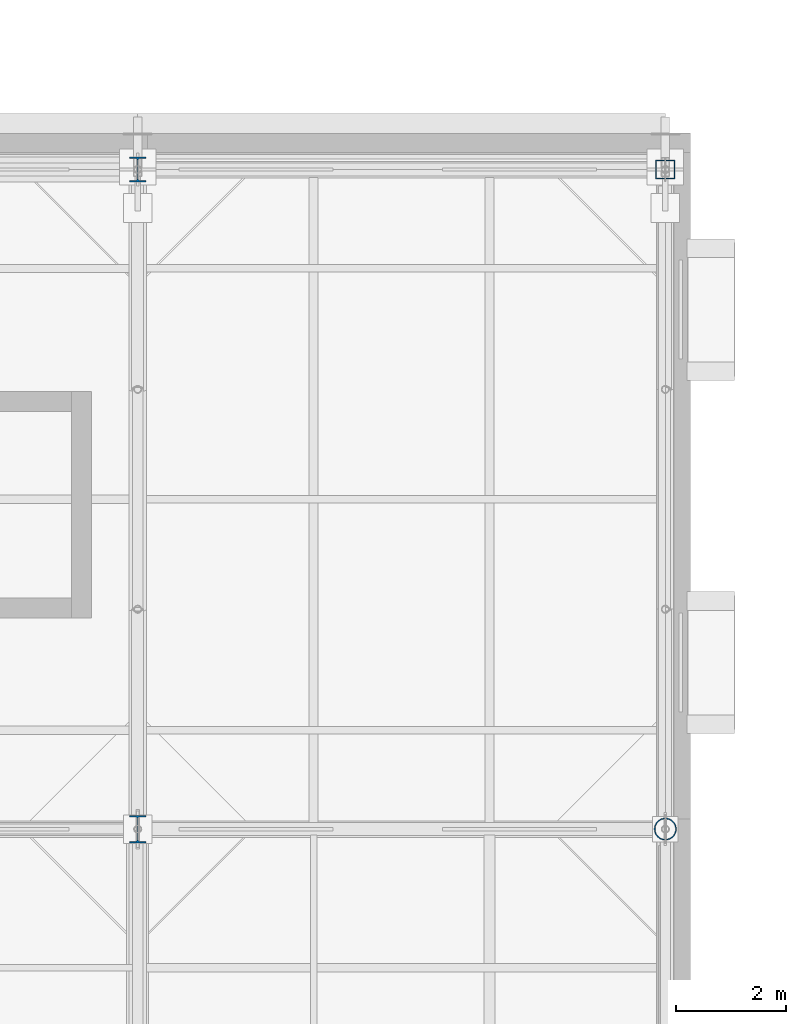
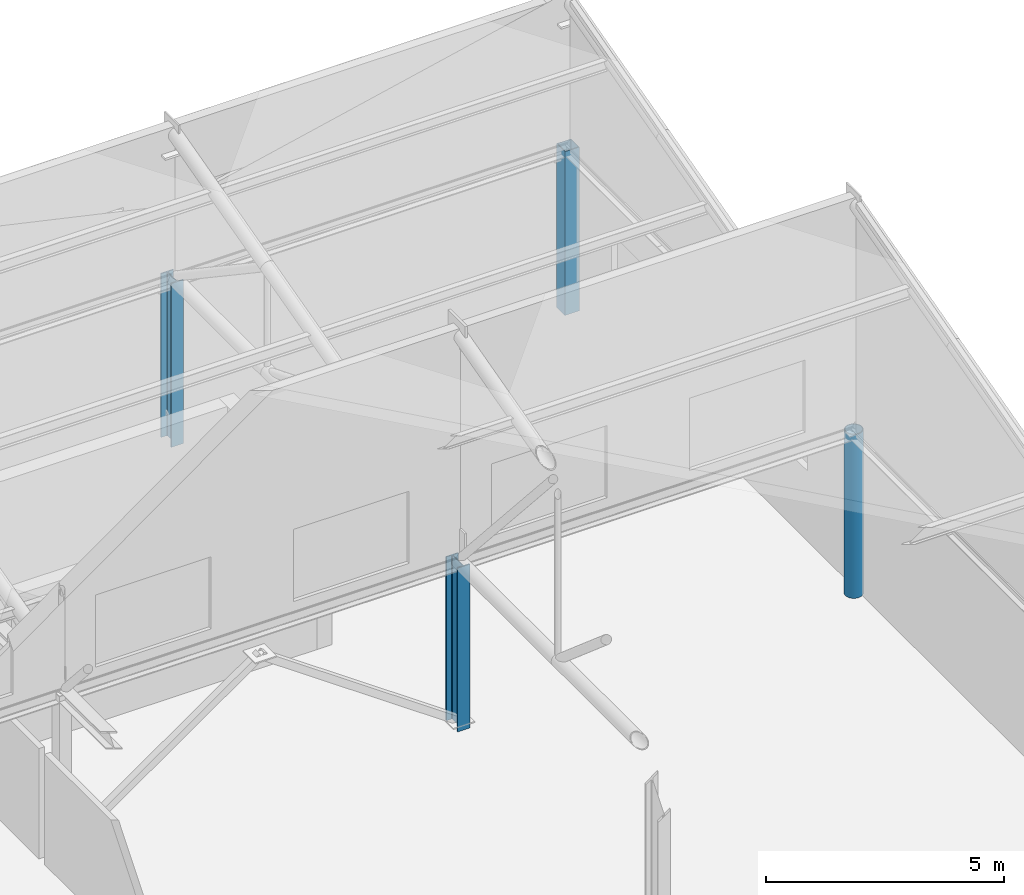
# One storey, part 8 of 89: 4 columns.
"""IFC4 building model written with IfcOpenShell, lengths in metres."""

import ifcopenshell
import ifcopenshell.guid

model = None  # the IFC model being written
_history = None  # IfcOwnerHistory: only IFC2X3 demands one
_inside = {}  # id of a spatial element -> (the spatial element, [elements in it])
_under = {}  # id of a project, library or spatial element -> (it, [spatial elements below it])
_declared = {}  # id of a project -> (the project, [libraries it declares])
_typed = {}  # id of a type object -> (the type object, [elements of that type])
_made_of = {}  # id of a material, layer set ... -> (it, [elements and type objects made of it])


def new_model(schema):
    """Start an empty IFC model of exactly this schema.

    Asked for "IFC4X3", IfcOpenShell would pick the latest addendum, in which some entities
    have other attributes; the version numbers below select the first issue.
    IFC2X3 requires an IfcOwnerHistory on every rooted entity: one is made here for all.
    """
    global model, _history
    if schema == "IFC4X3":
        model = ifcopenshell.file(schema_version=(4, 3, 0, 0))
    else:
        model = ifcopenshell.file(schema=schema)
    _inside.clear()
    _under.clear()
    _declared.clear()
    _typed.clear()
    _made_of.clear()
    _history = None
    if model.schema == "IFC2X3":
        org = make("IfcOrganization", Name="unknown")
        user = make(
            "IfcPersonAndOrganization",
            ThePerson=make("IfcPerson", FamilyName="unknown"),
            TheOrganization=org,
        )
        app = make(
            "IfcApplication",
            ApplicationDeveloper=org,
            Version="unknown",
            ApplicationFullName="unknown",
            ApplicationIdentifier="unknown",
        )
        _history = make(
            "IfcOwnerHistory",
            OwningUser=user,
            OwningApplication=app,
            ChangeAction="ADDED",
            CreationDate=0,
        )
    return model


def make(cls, **values):
    """One entity of the class cls with the attributes given. An attribute that is None is left unset."""
    return model.create_entity(
        cls, **{name: value for name, value in values.items() if value is not None}
    )


def rooted(cls, **values):
    """An entity with a GlobalId (a new one), such as an element, a storey or a relation."""
    return make(cls, GlobalId=ifcopenshell.guid.new(), OwnerHistory=_history, **values)


def si_unit(unit_type, name, prefix=None):
    """IfcSIUnit, for example si_unit("LENGTHUNIT", "METRE", prefix="MILLI")."""
    return make("IfcSIUnit", UnitType=unit_type, Prefix=prefix, Name=name)


def assignment(units):
    """IfcUnitAssignment: the units of a project."""
    return None if units is None else make("IfcUnitAssignment", Units=units)


def point(xyz):
    """IfcCartesianPoint."""
    return None if xyz is None else make("IfcCartesianPoint", Coordinates=xyz)


def direction(xyz):
    """IfcDirection."""
    return None if xyz is None else make("IfcDirection", DirectionRatios=xyz)


def frame(location, z_axis=None, x_axis=None):
    """IfcAxis2Placement3D, a coordinate frame: its origin and axes. An axis left out is left unset."""
    return make(
        "IfcAxis2Placement3D",
        Location=point(location),
        Axis=direction(z_axis),
        RefDirection=direction(x_axis),
    )


def frame_2d(location, x_axis=None):
    """IfcAxis2Placement2D, a coordinate frame in the plane: its origin and x axis."""
    return make(
        "IfcAxis2Placement2D", Location=point(location), RefDirection=direction(x_axis)
    )


def origin():
    """The frame at (0, 0, 0) with its axes left unset."""
    return frame((0.0, 0.0, 0.0))


def origin_2d():
    """The frame at (0, 0) in the plane with its x axis left unset."""
    return frame_2d((0.0, 0.0))


def place(relative_to, where):
    """IfcLocalPlacement: puts the frame where relative to a parent placement (None: the world)."""
    return make(
        "IfcLocalPlacement", PlacementRelTo=relative_to, RelativePlacement=where
    )


def context(
    kind, dimensions, precision=None, world=None, true_north=None, identifier=None
):
    """IfcGeometricRepresentationContext, for example the 3D "Model" context."""
    return make(
        "IfcGeometricRepresentationContext",
        ContextIdentifier=identifier,
        ContextType=kind,
        CoordinateSpaceDimension=dimensions,
        Precision=precision,
        WorldCoordinateSystem=world,
        TrueNorth=true_north,
    )


def subcontext(parent, identifier, kind, view, scale=None):
    """IfcGeometricRepresentationSubContext, for example "Body" below "Model"."""
    return make(
        "IfcGeometricRepresentationSubContext",
        ContextIdentifier=identifier,
        ContextType=kind,
        ParentContext=parent,
        TargetScale=scale,
        TargetView=view,
    )


def project(units=None, contexts=None):
    """IfcProject with its units and contexts."""
    return rooted(
        "IfcProject",
        Name="project",
        RepresentationContexts=contexts,
        UnitsInContext=assignment(units),
    )


def spatial(cls, under=None, at=None, **own):
    """A site, building, storey or space (cls), placed at a placement, below another one or the project."""
    s = rooted(cls, ObjectPlacement=at, **own)
    if under is not None:
        _under.setdefault(under.id(), (under, []))[1].append(s)
    return s


def profile(cls, at=None, kind="AREA", **sizes):
    """A parametric profile (cls). Its sizes go by their IFC names, for example OverallWidth=200.0."""
    return make(cls, ProfileType=kind, Position=at, **sizes)


def hollow_rectangle(**sizes):
    """IfcRectangleHollowProfileDef."""
    return profile("IfcRectangleHollowProfileDef", **sizes)


def hollow_circle(**sizes):
    """IfcCircleHollowProfileDef."""
    return profile("IfcCircleHollowProfileDef", **sizes)


def i_section(**sizes):
    """IfcIShapeProfileDef."""
    return profile("IfcIShapeProfileDef", **sizes)


def extrude(swept, where, along, depth):
    """IfcExtrudedAreaSolid: the profile swept, set in the frame where, extruded along a direction by depth."""
    return make(
        "IfcExtrudedAreaSolid",
        SweptArea=swept,
        Position=where,
        ExtrudedDirection=direction(along),
        Depth=depth,
    )


def shape(context_of_items, identifier, shape_type, items):
    """IfcShapeRepresentation: the items that make up one representation, for example the "Body"."""
    return make(
        "IfcShapeRepresentation",
        ContextOfItems=context_of_items,
        RepresentationIdentifier=identifier,
        RepresentationType=shape_type,
        Items=items,
    )


def material(Name=None, Category=None):
    """IfcMaterial."""
    return make("IfcMaterial", Name=Name, Category=Category)


def material_profile(
    of_material, cross_section, Name=None, Category=None, Priority=None
):
    """IfcMaterialProfile: a cross section and its material."""
    return make(
        "IfcMaterialProfile",
        Name=Name,
        Material=of_material,
        Profile=cross_section,
        Priority=Priority,
        Category=Category,
    )


def profile_set(profiles, Name=None, composite=None):
    """IfcMaterialProfileSet."""
    return make(
        "IfcMaterialProfileSet",
        Name=Name,
        MaterialProfiles=profiles,
        CompositeProfile=composite,
    )


def made_of(thing, what):
    """Note that an element or type object is made of a material, layer set ...; save() writes the relation."""
    if what is not None:
        _made_of.setdefault(what.id(), (what, []))[1].append(thing)
    return thing


def type_object(cls, material=None, **own):
    """A type object (cls), such as IfcWallType, which elements share."""
    return made_of(rooted(cls, **own), material)


def element(
    cls,
    number,
    at=None,
    inside=None,
    cuts=None,
    type_object=None,
    material=None,
    context=None,
    identifier="Body",
    shape_type=None,
    held_by="IfcProductDefinitionShape",
    body=None,
    shapes=None,
    **own,
):
    """One element of the class cls, such as IfcWall. Its Tag is "e" and its number.

    at: its placement. inside: the storey or other place that contains it. cuts: it is an
    opening in that element (IfcRelVoidsElement). A single representation is given by context,
    identifier, shape_type and body (its items); several are given by shapes. held_by: the class
    of the entity that holds the representations. save() writes the other relations.
    """
    e = rooted(cls, Tag="e%d" % number, ObjectPlacement=at, **own)
    if body is not None:
        shapes = [shape(context, identifier, shape_type, body)]
    if shapes is not None:
        e.Representation = make(held_by, Representations=shapes)
    if inside is not None:
        _inside.setdefault(inside.id(), (inside, []))[1].append(e)
    if cuts is not None:
        rooted(
            "IfcRelVoidsElement", RelatingBuildingElement=cuts, RelatedOpeningElement=e
        )
    if type_object is not None:
        _typed.setdefault(type_object.id(), (type_object, []))[1].append(e)
    return made_of(e, material)


def aggregate(whole, parts):
    """IfcRelAggregates: a whole, such as a stair, and the parts it consists of."""
    return rooted("IfcRelAggregates", RelatingObject=whole, RelatedObjects=parts)


def save(model, path):
    """Write the relations noted so far, then the file.

    IfcRelAggregates (storeys below a building ...), IfcRelContainedInSpatialStructure (elements
    in a storey), IfcRelDefinesByType, IfcRelAssociatesMaterial and IfcRelDeclares: one each for
    every whole, place, type object, material and project.
    """
    for whole, parts in _under.values():
        aggregate(whole, parts)
    for where, things in _inside.values():
        rooted(
            "IfcRelContainedInSpatialStructure",
            RelatedElements=things,
            RelatingStructure=where,
        )
    for kind, things in _typed.values():
        rooted("IfcRelDefinesByType", RelatedObjects=things, RelatingType=kind)
    for what, things in _made_of.values():
        rooted("IfcRelAssociatesMaterial", RelatedObjects=things, RelatingMaterial=what)
    for by, libraries in _declared.values():
        rooted("IfcRelDeclares", RelatingContext=by, RelatedDefinitions=libraries)
    model.write(path)


model = new_model("IFC4")

# Units and contexts
model_context = context("Model", 3, precision=1e-05, world=origin(), true_north=direction((0.0, 1.0)))
body_context = subcontext(model_context, "Body", "Model", "MODEL_VIEW")
ifc_project = project(units=[si_unit("LENGTHUNIT", "METRE"), si_unit("AREAUNIT", "SQUARE_METRE"), si_unit("VOLUMEUNIT", "CUBIC_METRE"), si_unit("PLANEANGLEUNIT", "RADIAN"), si_unit("MASSUNIT", "GRAM", prefix="KILO")], contexts=[model_context])

# Site, building, storey
site_placement = place(None, origin())
site = spatial("IfcSite", under=ifc_project, at=site_placement, CompositionType="ELEMENT")
building_placement = place(site_placement, origin())
building = spatial("IfcBuilding", under=site, at=building_placement, Name="Zereglee Splitstone Museum", CompositionType="ELEMENT")
storey_placement = place(building_placement, frame((0.0, 0.0, 21.300048828125)))
storey = spatial("IfcBuildingStorey", under=building, at=storey_placement, Name="L04", CompositionType="ELEMENT", Elevation=21.300048828125)

# Columns
ifc_material_1 = material(Name="Steel S355J2H", Category="steel")
ifc_material_profile_1 = material_profile(ifc_material_1, hollow_circle(Radius=0.203125, WallThickness=0.02001953125, at=origin_2d()), Name="CHS 406.4x20")
ifc_profile_set_1 = profile_set([ifc_material_profile_1], Name="Steel S355J2H")
column_type_1 = type_object("IfcColumnType", Name="C-18", PredefinedType="COLUMN", material=ifc_profile_set_1)
column_1_placement = place(storey_placement, frame((145.199951171875, 38.39990234375, 0.0), z_axis=(0.0, 0.0, 1.0), x_axis=(1.0, 0.0, 0.0)))
element("IfcColumn", 1, at=column_1_placement, inside=storey, type_object=column_type_1, Name="Column 17/E L04", PredefinedType="COLUMN", context=body_context, shape_type="SweptSolid", body=[
    extrude(hollow_circle(Radius=0.203125, WallThickness=0.02001953125, at=origin_2d()), origin(), (0.0, 0.0, 1.0), 4.199951171875),
])
ifc_material_2 = material(Name="Steel S355J2", Category="steel")
ifc_material_profile_2 = material_profile(ifc_material_2, i_section(OverallWidth=0.300048828125, OverallDepth=0.449951171875, WebThickness=0.013916015625, FlangeThickness=0.02587890625, FilletRadius=0.027099609375, at=origin_2d()), Name="HE 450 B")
ifc_profile_set_2 = profile_set([ifc_material_profile_2], Name="Steel S355J2")
column_type_2 = type_object("IfcColumnType", Name="C-14", PredefinedType="COLUMN", material=ifc_profile_set_2)
column_2_placement = place(storey_placement, frame((135.60009765625, 50.39990234375, 0.0), z_axis=(0.0, 0.0, 1.0), x_axis=(1.0, 0.0, 0.0)))
element("IfcColumn", 2, at=column_2_placement, inside=storey, type_object=column_type_2, Name="Column 16/F L04", PredefinedType="COLUMN", context=body_context, shape_type="SweptSolid", body=[
    extrude(i_section(OverallWidth=0.300048828125, OverallDepth=0.449951171875, WebThickness=0.013916015625, FlangeThickness=0.02587890625, FilletRadius=0.027099609375, at=origin_2d()), origin(), (0.0, 0.0, 1.0), 4.199951171875),
])
ifc_material_profile_3 = material_profile(ifc_material_2, i_section(OverallWidth=0.300048828125, OverallDepth=0.5, WebThickness=0.014404296875, FlangeThickness=0.028076171875, FilletRadius=0.027099609375, at=origin_2d()), Name="HE 500 B")
ifc_profile_set_3 = profile_set([ifc_material_profile_3], Name="Steel S355J2")
column_type_3 = type_object("IfcColumnType", Name="C-13", PredefinedType="COLUMN", material=ifc_profile_set_3)
column_3_placement = place(storey_placement, frame((135.60009765625, 38.39990234375, 0.0), z_axis=(0.0, 0.0, 1.0), x_axis=(1.0, 0.0, 0.0)))
element("IfcColumn", 3, at=column_3_placement, inside=storey, type_object=column_type_3, Name="Column 16/E L04", PredefinedType="COLUMN", context=body_context, shape_type="SweptSolid", body=[
    extrude(i_section(OverallWidth=0.300048828125, OverallDepth=0.5, WebThickness=0.014404296875, FlangeThickness=0.028076171875, FilletRadius=0.027099609375, at=origin_2d()), origin(), (0.0, 0.0, 1.0), 4.199951171875),
])
ifc_material_profile_4 = material_profile(ifc_material_1, hollow_rectangle(XDim=0.35009765625, YDim=0.35009765625, WallThickness=0.01611328125, at=origin_2d()), Name="SHS 350x350x16")
ifc_profile_set_4 = profile_set([ifc_material_profile_4], Name="Steel S355J2H")
column_type_4 = type_object("IfcColumnType", Name="C-19", PredefinedType="COLUMN", material=ifc_profile_set_4)
column_4_placement = place(storey_placement, frame((145.199951171875, 50.39990234375, 0.0), z_axis=(0.0, 0.0, 1.0), x_axis=(1.0, 0.0, 0.0)))
element("IfcColumn", 4, at=column_4_placement, inside=storey, type_object=column_type_4, Name="Column 17/F L04", PredefinedType="COLUMN", context=body_context, shape_type="SweptSolid", body=[
    extrude(hollow_rectangle(XDim=0.35009765625, YDim=0.35009765625, WallThickness=0.01611328125, at=origin_2d()), origin(), (0.0, 0.0, 1.0), 4.199951171875),
])

save(model, "model.ifc")
